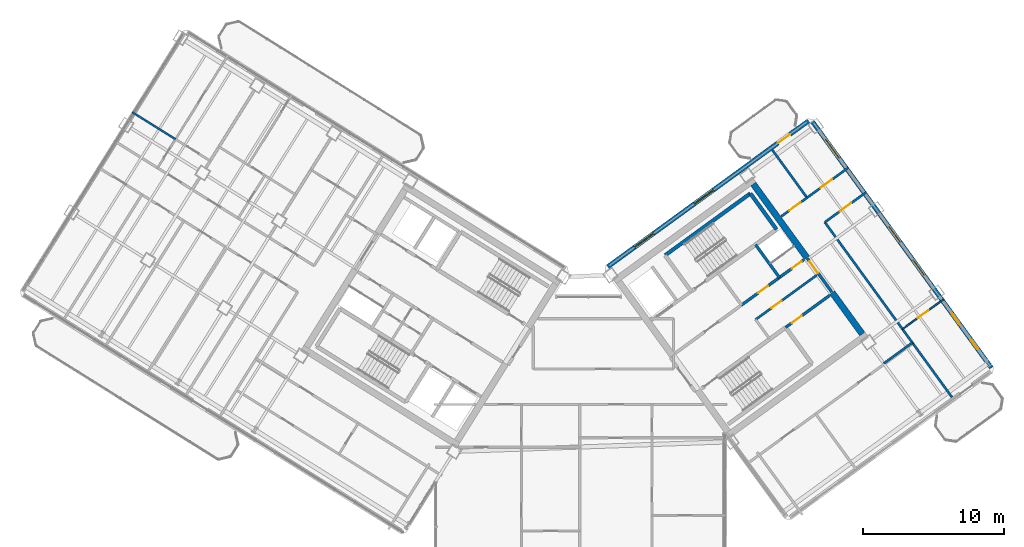
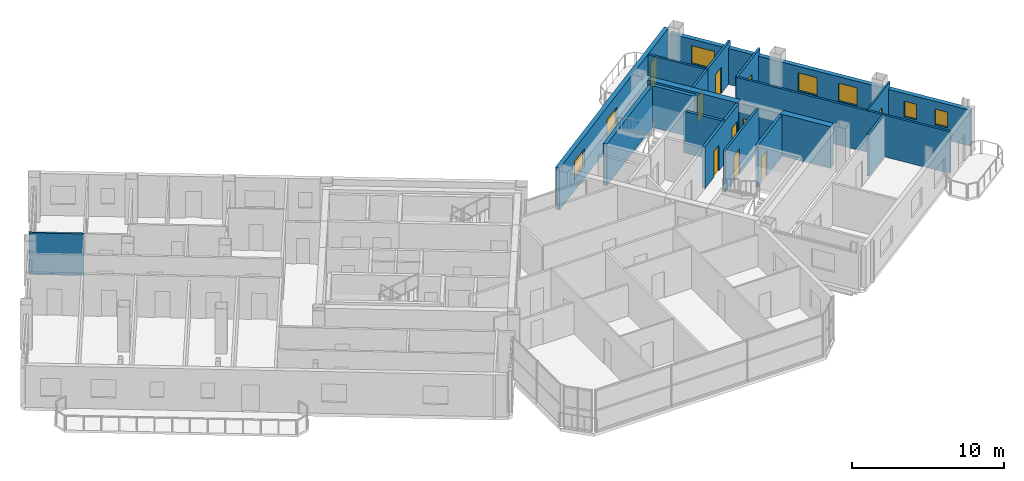
# One storey, part 20 of 29: 19 walls, 10 doors, 7 windows, 17 openings.
"""IFC4 building model written with IfcOpenShell, lengths in metres."""

from ifc_helpers import new_model, si_unit, direction, frame, frame_2d, origin, place, context, subcontext, project, spatial, rectangle, extrude, source, transform, mapped, material, layer, layer_set, type_object, element, fill, save


model = new_model("IFC4")

# Units and contexts
model_context = context("Model", 3, precision=1e-05, world=origin(), true_north=direction((0.0, 1.0)))
body_context = subcontext(model_context, "Body", "Model", "MODEL_VIEW")
ifc_project = project(units=[si_unit("LENGTHUNIT", "METRE"), si_unit("AREAUNIT", "SQUARE_METRE"), si_unit("VOLUMEUNIT", "CUBIC_METRE"), si_unit("PLANEANGLEUNIT", "RADIAN"), si_unit("MASSUNIT", "GRAM", prefix="KILO")], contexts=[model_context])

# Site, building, storey
site_placement = place(None, origin())
site = spatial("IfcSite", under=ifc_project, at=site_placement, CompositionType="ELEMENT")
building_placement = place(site_placement, origin())
building = spatial("IfcBuilding", under=site, at=building_placement, Name="Tlacorven Tower", CompositionType="ELEMENT")
storey_placement = place(building_placement, frame((0.0, 0.0, 238.5)))
storey = spatial("IfcBuildingStorey", under=building, at=storey_placement, Name="L60", CompositionType="ELEMENT", Elevation=238.5)

# Walls
ifc_material_1 = material(Name="Concrete C50/60", Category="concrete")
ifc_layer_1 = layer(ifc_material_1, 0.449951171875)
ifc_layer_set_1 = layer_set([ifc_layer_1], Name="Concrete C50/60")
wall_type_1 = type_object("IfcWallType", Name="WL-COR-450", PredefinedType="SHEAR", material=ifc_layer_set_1)
wall_1_placement = place(storey_placement, frame((61.987548828125, 20.413330078125, 0.0), z_axis=(0.0, 0.0, 1.0), x_axis=(-0.587819244441, 0.808992296542, 0.0)))
element("IfcWall", 1, at=wall_1_placement, inside=storey, type_object=wall_type_1, Name="L60 E core end wall E2.1", PredefinedType="SHEAR", context=body_context, shape_type="SweptSolid", body=[
    extrude(rectangle(XDim=3.625, YDim=0.449951171875, at=frame_2d((1.8125, 0.0))), origin(), (0.0, 0.0, 1.0), 3.35009765625),
])
wall_2_placement = place(storey_placement, frame((58.06396484375, 25.8134765625, 0.0), z_axis=(0.0, 0.0, 1.0), x_axis=(-0.587774812919, 0.809024578921, 0.0)))
element("IfcWall", 2, at=wall_2_placement, inside=storey, type_object=wall_type_1, Name="L60 E core end wall E2.2", PredefinedType="SHEAR", context=body_context, shape_type="SweptSolid", body=[
    extrude(rectangle(XDim=6.47509765625, YDim=0.449951171875, at=frame_2d((3.237548828125, 0.0))), origin(), (0.0, 0.0, 1.0), 3.35009765625),
])

# Wall, opening, door
ifc_material_2 = material(Name="Gypsum plasterboard acoustic partition", Category="gypsum")
ifc_layer_2 = layer(ifc_material_2, 0.159912109375)
ifc_layer_set_2 = layer_set([ifc_layer_2], Name="Gypsum plasterboard acoustic partition")
wall_type_2 = type_object("IfcWallType", Name="WL-DEM-160", PredefinedType="PARTITIONING", material=ifc_layer_set_2)
wall_3_placement = place(storey_placement, frame((54.421142578125, 21.436279296875, 0.0), z_axis=(0.0, 0.0, 1.0), x_axis=(0.809013710463, 0.587789772183, 0.0)))
wall_3 = element("IfcWall", 3, at=wall_3_placement, inside=storey, type_object=wall_type_2, Name="L60 partition 31", PredefinedType="PARTITIONING", context=body_context, shape_type="SweptSolid", body=[
    extrude(rectangle(XDim=5.360107421875, YDim=0.159912109375, at=frame_2d((2.68017578125, 0.0))), origin(), (0.0, 0.0, 1.0), 3.340087890625),
])
opening_1_placement = place(wall_3_placement, frame((1.39990234375, 0.0, 0.0)))
opening_1 = element("IfcOpeningElement", 4, at=opening_1_placement, cuts=wall_3, Name="Opening D19", PredefinedType="OPENING", context=body_context, shape_type="SweptSolid", body=[
    extrude(rectangle(XDim=0.860107421875, YDim=2.050048828125, at=frame_2d((0.43017578125, 1.02490234375))), frame((0.0, 0.08984375, 0.0), z_axis=(0.0, -1.0, 0.0), x_axis=(1.0, 0.0, 0.0)), (0.0, 0.0, 1.0), 0.179931640625),
])
ifc_material_3 = material(Name="Fire-rated steel door assembly", Category="steel")
door_type_1 = type_object("IfcDoorType", Name="DR-RSR-FD60-0860", OperationType="NOTDEFINED", PredefinedType="DOOR", material=ifc_material_3)
shared_shape_1 = source(origin(), body_context, "Body", "SweptSolid", [
    extrude(rectangle(XDim=0.860107421875, YDim=2.050048828125, at=frame_2d((0.43017578125, 1.02490234375))), frame((0.0, 0.02490234375, 0.0), z_axis=(0.0, -1.0, 0.0), x_axis=(1.0, 0.0, 0.0)), (0.0, 0.0, 1.0), 0.050048828125),
])
door_1_placement = place(opening_1_placement, origin())
door_1 = element("IfcDoor", 5, at=door_1_placement, inside=storey, type_object=door_type_1, Name="L60 Freed Core Store Door", OperationType="SINGLE_SWING_LEFT", OverallHeight=2.050048828125, OverallWidth=0.860107421875, PredefinedType="DOOR", context=body_context, shape_type="MappedRepresentation", body=[
    mapped(shared_shape_1, transform((0.0, 0.0, 0.0), scale=1.0)),
])
fill(opening_1, door_1)

# Wall
wall_4_placement = place(storey_placement, frame((63.5068359375, 18.322021484375, 0.0), z_axis=(0.0, 0.0, 1.0), x_axis=(0.809034604122, 0.587761013791, 0.0)))
element("IfcWall", 6, at=wall_4_placement, inside=storey, type_object=wall_type_2, Name="L60 partition 80", PredefinedType="PARTITIONING", context=body_context, shape_type="SweptSolid", body=[
    extrude(rectangle(XDim=2.510009765625, YDim=0.159912109375, at=frame_2d((1.2548828125, 0.0))), origin(), (0.0, 0.0, 1.0), 3.340087890625),
])

# Wall, opening, door
wall_5_placement = place(storey_placement, frame((56.239990234375, 28.752685546875, 0.0), z_axis=(0.0, 0.0, 1.0), x_axis=(0.809002482896, 0.587805225111, 0.0)))
wall_5 = element("IfcWall", 7, at=wall_5_placement, inside=storey, type_object=wall_type_2, Name="L60 partition 81", PredefinedType="PARTITIONING", context=body_context, shape_type="SweptSolid", body=[
    extrude(rectangle(XDim=2.25830078125, YDim=0.159912109375, at=frame_2d((1.129150390625, 0.0))), origin(), (0.0, 0.0, 1.0), 3.340087890625),
])
opening_2_placement = place(wall_5_placement, frame((0.697998046875, 0.0, 0.0)))
opening_2 = element("IfcOpeningElement", 8, at=opening_2_placement, cuts=wall_5, Name="Opening D11", PredefinedType="OPENING", context=body_context, shape_type="SweptSolid", body=[
    extrude(rectangle(XDim=1.0, YDim=2.10009765625, at=frame_2d((0.5, 1.050048828125))), frame((0.0, 0.08984375, 0.0), z_axis=(0.0, -1.0, 0.0), x_axis=(1.0, 0.0, 0.0)), (0.0, 0.0, 1.0), 0.179931640625),
])
door_type_2 = type_object("IfcDoorType", Name="DR-FLT-FD60-1000", OperationType="NOTDEFINED", PredefinedType="DOOR", material=ifc_material_3)
shared_shape_2 = source(origin(), body_context, "Body", "SweptSolid", [
    extrude(rectangle(XDim=1.0, YDim=2.10009765625, at=frame_2d((0.5, 1.050048828125))), frame((0.0, 0.02490234375, 0.0), z_axis=(0.0, -1.0, 0.0), x_axis=(1.0, 0.0, 0.0)), (0.0, 0.0, 1.0), 0.050048828125),
])
door_2_placement = place(opening_2_placement, origin())
door_2 = element("IfcDoor", 9, at=door_2_placement, inside=storey, type_object=door_type_2, Name="L60 door 055", OperationType="SINGLE_SWING_RIGHT", OverallHeight=2.10009765625, OverallWidth=1.0, PredefinedType="DOOR", context=body_context, shape_type="MappedRepresentation", body=[
    mapped(shared_shape_2, transform((0.0, 0.0, 0.0), scale=1.0)),
])
fill(opening_2, door_2)

# Walls
wall_6_placement = place(storey_placement, frame((68.35302734375, 15.922119140625, 0.0), z_axis=(0.0, 0.0, 1.0), x_axis=(-0.587782002009, 0.809019355834, 0.0)))
element("IfcWall", 10, at=wall_6_placement, inside=storey, type_object=wall_type_2, Name="L60 partition 82", PredefinedType="PARTITIONING", context=body_context, shape_type="SweptSolid", body=[
    extrude(rectangle(XDim=15.35009765625, YDim=0.159912109375, at=frame_2d((7.675048828125, 0.0))), origin(), (0.0, 0.0, 1.0), 3.340087890625),
])
wall_7_placement = place(storey_placement, frame((58.06689453125, 30.080078125, 0.0), z_axis=(0.0, 0.0, 1.0), x_axis=(-0.587812175236, 0.808997433027, 0.0)))
element("IfcWall", 11, at=wall_7_placement, inside=storey, type_object=wall_type_2, Name="L60 partition 83", PredefinedType="PARTITIONING", context=body_context, shape_type="SweptSolid", body=[
    extrude(rectangle(XDim=4.199951171875, YDim=0.159912109375, at=frame_2d((2.10009765625, 0.0))), origin(), (0.0, 0.0, 1.0), 3.340087890625),
])

# Wall, opening, door
wall_8_placement = place(storey_placement, frame((59.33056640625, 28.340576171875, 0.0), z_axis=(0.0, 0.0, 1.0), x_axis=(0.809003564202, 0.587803736896, 0.0)))
wall_8 = element("IfcWall", 12, at=wall_8_placement, inside=storey, type_object=wall_type_2, Name="L60 partition 85", PredefinedType="PARTITIONING", context=body_context, shape_type="SweptSolid", body=[
    extrude(rectangle(XDim=3.630126953125, YDim=0.159912109375, at=frame_2d((1.81494140625, 0.0))), origin(), (0.0, 0.0, 1.0), 3.340087890625),
])
opening_3_placement = place(wall_8_placement, frame((1.304931640625, 0.0, 0.0)))
opening_3 = element("IfcOpeningElement", 13, at=opening_3_placement, cuts=wall_8, Name="Opening D11", PredefinedType="OPENING", context=body_context, shape_type="SweptSolid", body=[
    extrude(rectangle(XDim=1.0, YDim=2.10009765625, at=frame_2d((0.5, 1.050048828125))), frame((0.0, 0.08984375, 0.0), z_axis=(0.0, -1.0, 0.0), x_axis=(1.0, 0.0, 0.0)), (0.0, 0.0, 1.0), 0.179931640625),
])
door_3_placement = place(opening_3_placement, origin())
door_3 = element("IfcDoor", 14, at=door_3_placement, inside=storey, type_object=door_type_2, Name="L60 door 058", OperationType="SINGLE_SWING_LEFT", OverallHeight=2.10009765625, OverallWidth=1.0, PredefinedType="DOOR", context=body_context, shape_type="MappedRepresentation", body=[
    mapped(shared_shape_2, transform((0.0, 0.0, 0.0), scale=1.0)),
])
fill(opening_3, door_3)

wall_9_placement = place(storey_placement, frame((58.06689453125, 30.080078125, 0.0), z_axis=(0.0, 0.0, 1.0), x_axis=(0.809012309495, 0.587791700422, 0.0)))
wall_9 = element("IfcWall", 15, at=wall_9_placement, inside=storey, type_object=wall_type_2, Name="L60 partition 86", PredefinedType="PARTITIONING", context=body_context, shape_type="SweptSolid", body=[
    extrude(rectangle(XDim=3.6298828125, YDim=0.159912109375, at=frame_2d((1.81494140625, 0.0))), origin(), (0.0, 0.0, 1.0), 3.340087890625),
])
opening_4_placement = place(wall_9_placement, frame((1.199951171875, 0.0, 0.0)))
opening_4 = element("IfcOpeningElement", 16, at=opening_4_placement, cuts=wall_9, Name="Opening D11", PredefinedType="OPENING", context=body_context, shape_type="SweptSolid", body=[
    extrude(rectangle(XDim=1.0, YDim=2.10009765625, at=frame_2d((0.5, 1.050048828125))), frame((0.0, 0.08984375, 0.0), z_axis=(0.0, -1.0, 0.0), x_axis=(1.0, 0.0, 0.0)), (0.0, 0.0, 1.0), 0.179931640625),
])
door_4_placement = place(opening_4_placement, origin())
door_4 = element("IfcDoor", 17, at=door_4_placement, inside=storey, type_object=door_type_2, Name="L60 door 057", OperationType="SINGLE_SWING_RIGHT", OverallHeight=2.10009765625, OverallWidth=1.0, PredefinedType="DOOR", context=body_context, shape_type="MappedRepresentation", body=[
    mapped(shared_shape_2, transform((0.0, 0.0, 0.0), scale=1.0)),
])
fill(opening_4, door_4)

# Wall, openings, door, windows
ifc_material_4 = material(Name="Precast concrete C45/55", Category="concrete")
ifc_layer_3 = layer(ifc_material_4, 0.320068359375)
ifc_layer_set_3 = layer_set([ifc_layer_3], Name="Precast concrete C45/55")
wall_type_3 = type_object("IfcWallType", Name="WL-EXT-320", PredefinedType="STANDARD", material=ifc_layer_set_3)
wall_10_placement = place(storey_placement, frame((43.93798828125, 25.191650390625, 0.0), z_axis=(0.0, 0.0, 1.0), x_axis=(0.809016324578, 0.587786174187, 0.0)))
wall_10 = element("IfcWall", 18, at=wall_10_placement, inside=storey, type_object=wall_type_3, Name="L60 Masonry-Frame Recessed Facade Wall 4", PredefinedType="STANDARD", context=body_context, shape_type="SweptSolid", body=[
    extrude(rectangle(XDim=17.58740234375, YDim=0.320068359375, at=frame_2d((8.793701171875, 0.0))), origin(), (0.0, 0.0, 1.0), 3.35009765625),
])
opening_5_placement = place(wall_10_placement, frame((14.913818359375, 0.0, 0.0)))
opening_5 = element("IfcOpeningElement", 19, at=opening_5_placement, cuts=wall_10, Name="Opening D06", PredefinedType="OPENING", context=body_context, shape_type="SweptSolid", body=[
    extrude(rectangle(XDim=1.050048828125, YDim=2.14990234375, at=frame_2d((0.52490234375, 1.074951171875))), frame((0.0, 0.169921875, 0.0), z_axis=(0.0, -1.0, 0.0), x_axis=(1.0, 0.0, 0.0)), (0.0, 0.0, 1.0), 0.340087890625),
])
opening_6_placement = place(wall_10_placement, frame((2.34375, 0.0, 0.89990234375)))
opening_6 = element("IfcOpeningElement", 20, at=opening_6_placement, cuts=wall_10, Name="Opening WN07", PredefinedType="OPENING", context=body_context, shape_type="SweptSolid", body=[
    extrude(rectangle(XDim=1.64990234375, YDim=1.449951171875, at=frame_2d((0.824951171875, 0.72509765625))), frame((0.0, 0.169921875, 0.0), z_axis=(0.0, -1.0, 0.0), x_axis=(1.0, 0.0, 0.0)), (0.0, 0.0, 1.0), 0.340087890625),
])
opening_7_placement = place(wall_10_placement, frame((7.59375, 0.0, 0.89990234375)))
opening_7 = element("IfcOpeningElement", 21, at=opening_7_placement, cuts=wall_10, Name="Opening WN07", PredefinedType="OPENING", context=body_context, shape_type="SweptSolid", body=[
    extrude(rectangle(XDim=1.64990234375, YDim=1.449951171875, at=frame_2d((0.824951171875, 0.72509765625))), frame((0.0, 0.169921875, 0.0), z_axis=(0.0, -1.0, 0.0), x_axis=(1.0, 0.0, 0.0)), (0.0, 0.0, 1.0), 0.340087890625),
])
ifc_material_5 = material(Name="Powder-coated aluminium and timber door", Category="wood")
door_type_3 = type_object("IfcDoorType", Name="DR-EXT-BALC-1050", OperationType="NOTDEFINED", PredefinedType="DOOR", material=ifc_material_5)
shared_shape_3 = source(origin(), body_context, "Body", "SweptSolid", [
    extrude(rectangle(XDim=1.050048828125, YDim=2.14990234375, at=frame_2d((0.52490234375, 1.074951171875))), frame((0.0, 0.02490234375, 0.0), z_axis=(0.0, -1.0, 0.0), x_axis=(1.0, 0.0, 0.0)), (0.0, 0.0, 1.0), 0.050048828125),
])
door_5_placement = place(opening_5_placement, origin())
door_5 = element("IfcDoor", 22, at=door_5_placement, inside=storey, type_object=door_type_3, Name="L60 Outdoor Access Door BAL-L60-E-IN", OperationType="SINGLE_SWING_RIGHT", OverallHeight=2.14990234375, OverallWidth=1.050048828125, PredefinedType="DOOR", context=body_context, shape_type="MappedRepresentation", body=[
    mapped(shared_shape_3, transform((0.0, 0.0, 0.0), scale=1.0)),
])
fill(opening_5, door_5)
ifc_material_6 = material(Name="Dark solar low-E double glazing in anodised aluminium frame", Category="aluminium")
window_type_1 = type_object("IfcWindowType", Name="WN-APT-1650X1600", PartitioningType="SINGLE_PANEL", PredefinedType="WINDOW", material=ifc_material_6)
shared_shape_4 = source(origin(), body_context, "Body", "SweptSolid", [
    extrude(rectangle(XDim=1.64990234375, YDim=1.449951171875, at=frame_2d((0.824951171875, 0.72509765625))), frame((0.0, 0.030029296875, 0.0), z_axis=(0.0, -1.0, 0.0), x_axis=(1.0, 0.0, 0.0)), (0.0, 0.0, 1.0), 0.06005859375),
])
window_1_placement = place(opening_6_placement, origin())
window_1 = element("IfcWindow", 23, at=window_1_placement, inside=storey, type_object=window_type_1, Name="L60 Recessed Masonry-Frame Window L60-04.1", OverallHeight=1.449951171875, OverallWidth=1.64990234375, PartitioningType="SINGLE_PANEL", PredefinedType="WINDOW", context=body_context, shape_type="MappedRepresentation", body=[
    mapped(shared_shape_4, transform((0.0, 0.0, 0.0), scale=1.0)),
])
fill(opening_6, window_1)
window_2_placement = place(opening_7_placement, origin())
window_2 = element("IfcWindow", 24, at=window_2_placement, inside=storey, type_object=window_type_1, Name="L60 Recessed Masonry-Frame Window L60-04.2", OverallHeight=1.449951171875, OverallWidth=1.64990234375, PartitioningType="SINGLE_PANEL", PredefinedType="WINDOW", context=body_context, shape_type="MappedRepresentation", body=[
    mapped(shared_shape_4, transform((0.0, 0.0, 0.0), scale=1.0)),
])
fill(opening_7, window_2)

# Wall, openings, windows
wall_11_placement = place(storey_placement, frame((58.45458984375, 35.483642578125, 0.0), z_axis=(0.0, 0.0, 1.0), x_axis=(0.587783625747, -0.809018176127, 0.0)))
wall_11 = element("IfcWall", 25, at=wall_11_placement, inside=storey, type_object=wall_type_3, Name="L60 Masonry-Frame Recessed Facade Wall 5", PredefinedType="STANDARD", context=body_context, shape_type="SweptSolid", body=[
    extrude(rectangle(XDim=21.58740234375, YDim=0.320068359375, at=frame_2d((10.793701171875, 0.0))), origin(), (0.0, 0.0, 1.0), 2.875),
])
opening_8_placement = place(wall_11_placement, frame((1.5537109375, 0.0, 0.89990234375)))
opening_8 = element("IfcOpeningElement", 26, at=opening_8_placement, cuts=wall_11, Name="Opening WN07", PredefinedType="OPENING", context=body_context, shape_type="SweptSolid", body=[
    extrude(rectangle(XDim=1.64990234375, YDim=1.449951171875, at=frame_2d((0.824951171875, 0.72509765625))), frame((0.0, 0.169921875, 0.0), z_axis=(0.0, -1.0, 0.0), x_axis=(1.0, 0.0, 0.0)), (0.0, 0.0, 1.0), 0.340087890625),
])
opening_9_placement = place(wall_11_placement, frame((9.21875, 0.0, 0.89990234375)))
opening_9 = element("IfcOpeningElement", 27, at=opening_9_placement, cuts=wall_11, Name="Opening WN08", PredefinedType="OPENING", context=body_context, shape_type="SweptSolid", body=[
    extrude(rectangle(XDim=1.35009765625, YDim=1.449951171875, at=frame_2d((0.675048828125, 0.72509765625))), frame((0.0, 0.169921875, 0.0), z_axis=(0.0, -1.0, 0.0), x_axis=(1.0, 0.0, 0.0)), (0.0, 0.0, 1.0), 0.340087890625),
])
opening_10_placement = place(wall_11_placement, frame((12.11865234375, 0.0, 0.89990234375)))
opening_10 = element("IfcOpeningElement", 28, at=opening_10_placement, cuts=wall_11, Name="Opening WN08", PredefinedType="OPENING", context=body_context, shape_type="SweptSolid", body=[
    extrude(rectangle(XDim=1.35009765625, YDim=1.449951171875, at=frame_2d((0.675048828125, 0.72509765625))), frame((0.0, 0.169921875, 0.0), z_axis=(0.0, -1.0, 0.0), x_axis=(1.0, 0.0, 0.0)), (0.0, 0.0, 1.0), 0.340087890625),
])
opening_11_placement = place(wall_11_placement, frame((16.832763671875, 0.0, 1.0)))
opening_11 = element("IfcOpeningElement", 29, at=opening_11_placement, cuts=wall_11, Name="Opening WN05", PredefinedType="OPENING", context=body_context, shape_type="SweptSolid", body=[
    extrude(rectangle(XDim=0.89990234375, YDim=1.25, at=frame_2d((0.449951171875, 0.625))), frame((0.0, 0.169921875, 0.0), z_axis=(0.0, -1.0, 0.0), x_axis=(1.0, 0.0, 0.0)), (0.0, 0.0, 1.0), 0.340087890625),
])
opening_12_placement = place(wall_11_placement, frame((19.056640625, 0.0, 1.0)))
opening_12 = element("IfcOpeningElement", 30, at=opening_12_placement, cuts=wall_11, Name="Opening WN05", PredefinedType="OPENING", context=body_context, shape_type="SweptSolid", body=[
    extrude(rectangle(XDim=0.89990234375, YDim=1.25, at=frame_2d((0.449951171875, 0.625))), frame((0.0, 0.169921875, 0.0), z_axis=(0.0, -1.0, 0.0), x_axis=(1.0, 0.0, 0.0)), (0.0, 0.0, 1.0), 0.340087890625),
])
window_type_2 = type_object("IfcWindowType", Name="WN-APT-0900X1350", PartitioningType="SINGLE_PANEL", PredefinedType="WINDOW", material=ifc_material_6)
shared_shape_5 = source(origin(), body_context, "Body", "SweptSolid", [
    extrude(rectangle(XDim=0.89990234375, YDim=1.25, at=frame_2d((0.449951171875, 0.625))), frame((0.0, 0.030029296875, 0.0), z_axis=(0.0, -1.0, 0.0), x_axis=(1.0, 0.0, 0.0)), (0.0, 0.0, 1.0), 0.06005859375),
])
window_3_placement = place(opening_11_placement, origin())
window_3 = element("IfcWindow", 31, at=window_3_placement, inside=storey, type_object=window_type_2, Name="L60 Recessed Masonry-Frame Window L60-05.4", OverallHeight=1.25, OverallWidth=0.89990234375, PartitioningType="SINGLE_PANEL", PredefinedType="WINDOW", context=body_context, shape_type="MappedRepresentation", body=[
    mapped(shared_shape_5, transform((0.0, 0.0, 0.0), scale=1.0)),
])
fill(opening_11, window_3)
window_4_placement = place(opening_12_placement, origin())
window_4 = element("IfcWindow", 32, at=window_4_placement, inside=storey, type_object=window_type_2, Name="L60 Recessed Masonry-Frame Window L60-05.5", OverallHeight=1.25, OverallWidth=0.89990234375, PartitioningType="SINGLE_PANEL", PredefinedType="WINDOW", context=body_context, shape_type="MappedRepresentation", body=[
    mapped(shared_shape_5, transform((0.0, 0.0, 0.0), scale=1.0)),
])
fill(opening_12, window_4)
window_5_placement = place(opening_8_placement, origin())
window_5 = element("IfcWindow", 33, at=window_5_placement, inside=storey, type_object=window_type_1, Name="L60 Recessed Masonry-Frame Window L60-05.1", OverallHeight=1.449951171875, OverallWidth=1.64990234375, PartitioningType="SINGLE_PANEL", PredefinedType="WINDOW", context=body_context, shape_type="MappedRepresentation", body=[
    mapped(shared_shape_4, transform((0.0, 0.0, 0.0), scale=1.0)),
])
fill(opening_8, window_5)
window_type_3 = type_object("IfcWindowType", Name="WN-APT-1350X1550", PartitioningType="SINGLE_PANEL", PredefinedType="WINDOW", material=ifc_material_6)
shared_shape_6 = source(origin(), body_context, "Body", "SweptSolid", [
    extrude(rectangle(XDim=1.35009765625, YDim=1.449951171875, at=frame_2d((0.675048828125, 0.72509765625))), frame((0.0, 0.030029296875, 0.0), z_axis=(0.0, -1.0, 0.0), x_axis=(1.0, 0.0, 0.0)), (0.0, 0.0, 1.0), 0.06005859375),
])
window_6_placement = place(opening_9_placement, origin())
window_6 = element("IfcWindow", 34, at=window_6_placement, inside=storey, type_object=window_type_3, Name="L60 Recessed Masonry-Frame Window L60-05.2", OverallHeight=1.449951171875, OverallWidth=1.35009765625, PartitioningType="SINGLE_PANEL", PredefinedType="WINDOW", context=body_context, shape_type="MappedRepresentation", body=[
    mapped(shared_shape_6, transform((0.0, 0.0, 0.0), scale=1.0)),
])
fill(opening_9, window_6)
window_7_placement = place(opening_10_placement, origin())
window_7 = element("IfcWindow", 35, at=window_7_placement, inside=storey, type_object=window_type_3, Name="L60 Recessed Masonry-Frame Window L60-05.3", OverallHeight=1.449951171875, OverallWidth=1.35009765625, PartitioningType="SINGLE_PANEL", PredefinedType="WINDOW", context=body_context, shape_type="MappedRepresentation", body=[
    mapped(shared_shape_6, transform((0.0, 0.0, 0.0), scale=1.0)),
])
fill(opening_10, window_7)

# Wall, opening, door
ifc_material_7 = material(Name="Gypsum plasterboard partition", Category="gypsum")
ifc_layer_4 = layer(ifc_material_7, 0.110107421875)
ifc_layer_set_4 = layer_set([ifc_layer_4], Name="Gypsum plasterboard partition")
wall_type_4 = type_object("IfcWallType", Name="WL-INT-110", PredefinedType="PARTITIONING", material=ifc_layer_set_4)
wall_12_placement = place(storey_placement, frame((64.83935546875, 20.758544921875, 0.0), z_axis=(0.0, 0.0, 1.0), x_axis=(0.809013833588, 0.587789602718, 0.0)))
wall_12 = element("IfcWall", 36, at=wall_12_placement, inside=storey, type_object=wall_type_4, Name="L60 partition 87", PredefinedType="PARTITIONING", context=body_context, shape_type="SweptSolid", body=[
    extrude(rectangle(XDim=3.60986328125, YDim=0.110107421875, at=frame_2d((1.804931640625, 0.0))), origin(), (0.0, 0.0, 1.0), 3.340087890625),
])
opening_13_placement = place(wall_12_placement, frame((1.344970703125, 0.0, 0.0)))
opening_13 = element("IfcOpeningElement", 37, at=opening_13_placement, cuts=wall_12, Name="Opening D12", PredefinedType="OPENING", context=body_context, shape_type="SweptSolid", body=[
    extrude(rectangle(XDim=0.919921875, YDim=2.080078125, at=frame_2d((0.4599609375, 1.0400390625))), frame((0.0, 0.06494140625, 0.0), z_axis=(0.0, -1.0, 0.0), x_axis=(1.0, 0.0, 0.0)), (0.0, 0.0, 1.0), 0.130126953125),
])
door_type_4 = type_object("IfcDoorType", Name="DR-INT-ROOM-0920", OperationType="NOTDEFINED", PredefinedType="DOOR", material=ifc_material_5)
shared_shape_7 = source(origin(), body_context, "Body", "SweptSolid", [
    extrude(rectangle(XDim=0.919921875, YDim=2.080078125, at=frame_2d((0.4599609375, 1.0400390625))), frame((0.0, 0.02490234375, 0.0), z_axis=(0.0, -1.0, 0.0), x_axis=(1.0, 0.0, 0.0)), (0.0, 0.0, 1.0), 0.050048828125),
])
door_6_placement = place(opening_13_placement, origin())
door_6 = element("IfcDoor", 38, at=door_6_placement, inside=storey, type_object=door_type_4, Name="L60 door 059", OperationType="SINGLE_SWING_LEFT", OverallHeight=2.080078125, OverallWidth=0.919921875, PredefinedType="DOOR", context=body_context, shape_type="MappedRepresentation", body=[
    mapped(shared_shape_7, transform((0.0, 0.0, 0.0), scale=1.0)),
])
fill(opening_13, door_6)

# Wall
ifc_material_8 = material(Name="Moisture-resistant gypsum plumbing wall", Category="gypsum")
ifc_layer_5 = layer(ifc_material_8, 0.139892578125)
ifc_layer_set_5 = layer_set([ifc_layer_5], Name="Moisture-resistant gypsum plumbing wall")
wall_type_5 = type_object("IfcWallType", Name="WL-PLM-140", PredefinedType="PLUMBINGWALL", material=ifc_layer_set_5)
wall_13_placement = place(storey_placement, frame((13.275146484375, 34.228271484375, 0.0), z_axis=(0.0, 0.0, 1.0), x_axis=(-0.848039976902, 0.529932257535, 0.0)))
element("IfcWall", 39, at=wall_13_placement, inside=storey, type_object=wall_type_5, Name="L60 partition 58", PredefinedType="PLUMBINGWALL", context=body_context, shape_type="SweptSolid", body=[
    extrude(rectangle(XDim=3.6201171875, YDim=0.139892578125, at=frame_2d((1.81005859375, 0.0))), origin(), (0.0, 0.0, 1.0), 3.340087890625),
])

# Wall, opening, door
ifc_material_9 = material(Name="Concrete C40/50", Category="concrete")
ifc_layer_6 = layer(ifc_material_9, 0.199951171875)
ifc_layer_set_6 = layer_set([ifc_layer_6], Name="Concrete C40/50")
wall_type_6 = type_object("IfcWallType", Name="WL-SHF-200", PredefinedType="STANDARD", material=ifc_layer_set_6)
wall_14_placement = place(storey_placement, frame((56.552978515625, 20.884033203125, 0.0), z_axis=(0.0, 0.0, 1.0), x_axis=(0.809041669066, 0.587751288995, 0.0)))
wall_14 = element("IfcWall", 40, at=wall_14_placement, inside=storey, type_object=wall_type_6, Name="L60 Core E South Lift Shaft Wall", PredefinedType="STANDARD", context=body_context, shape_type="SweptSolid", body=[
    extrude(rectangle(XDim=3.867919921875, YDim=0.199951171875, at=frame_2d((1.93408203125, 0.0))), origin(), (0.0, 0.0, 1.0), 3.340087890625),
])
opening_14_placement = place(wall_14_placement, frame((0.550048828125, 0.0, 0.0)))
opening_14 = element("IfcOpeningElement", 41, at=opening_14_placement, cuts=wall_14, Name="Opening D19", PredefinedType="OPENING", context=body_context, shape_type="SweptSolid", body=[
    extrude(rectangle(XDim=0.860107421875, YDim=2.050048828125, at=frame_2d((0.43017578125, 1.02490234375))), frame((0.0, 0.10986328125, 0.0), z_axis=(0.0, -1.0, 0.0), x_axis=(1.0, 0.0, 0.0)), (0.0, 0.0, 1.0), 0.219970703125),
])
door_7_placement = place(opening_14_placement, origin())
door_7 = element("IfcDoor", 42, at=door_7_placement, inside=storey, type_object=door_type_1, Name="L60 East Telecoms Riser Access Door", OperationType="SINGLE_SWING_RIGHT", OverallHeight=2.050048828125, OverallWidth=0.860107421875, PredefinedType="DOOR", context=body_context, shape_type="MappedRepresentation", body=[
    mapped(shared_shape_1, transform((0.0, 0.0, 0.0), scale=1.0)),
])
fill(opening_14, door_7)

# Wall
wall_15_placement = place(storey_placement, frame((56.110595703125, 24.4189453125, 0.0), z_axis=(0.0, 0.0, 1.0), x_axis=(-0.58777848983, 0.809021907548, 0.0)))
element("IfcWall", 43, at=wall_15_placement, inside=storey, type_object=wall_type_6, Name="L60 partition 35", PredefinedType="STANDARD", context=body_context, shape_type="SweptSolid", body=[
    extrude(rectangle(XDim=2.880126953125, YDim=0.199951171875, at=frame_2d((1.43994140625, 0.0))), origin(), (0.0, 0.0, 1.0), 3.340087890625),
])

# Wall, openings, doors
wall_16_placement = place(storey_placement, frame((53.424560546875, 22.467529296875, 0.0), z_axis=(0.0, 0.0, 1.0), x_axis=(0.809015945709, 0.587786695655, 0.0)))
wall_16 = element("IfcWall", 44, at=wall_16_placement, inside=storey, type_object=wall_type_6, Name="L60 Core E North Service Wall", PredefinedType="STANDARD", context=body_context, shape_type="SweptSolid", body=[
    extrude(rectangle(XDim=5.46826171875, YDim=0.199951171875, at=frame_2d((2.734130859375, 0.0))), origin(), (0.0, 0.0, 1.0), 3.340087890625),
])
opening_15_placement = place(wall_16_placement, frame((4.39990234375, 0.0, 0.0)))
opening_15 = element("IfcOpeningElement", 45, at=opening_15_placement, cuts=wall_16, Name="Opening D19", PredefinedType="OPENING", context=body_context, shape_type="SweptSolid", body=[
    extrude(rectangle(XDim=0.860107421875, YDim=2.050048828125, at=frame_2d((0.43017578125, 1.02490234375))), frame((0.0, 0.10986328125, 0.0), z_axis=(0.0, -1.0, 0.0), x_axis=(1.0, 0.0, 0.0)), (0.0, 0.0, 1.0), 0.219970703125),
])
opening_16_placement = place(wall_16_placement, frame((1.449951171875, 0.0, 0.0)))
opening_16 = element("IfcOpeningElement", 46, at=opening_16_placement, cuts=wall_16, Name="Opening D19", PredefinedType="OPENING", context=body_context, shape_type="SweptSolid", body=[
    extrude(rectangle(XDim=0.860107421875, YDim=2.050048828125, at=frame_2d((0.43017578125, 1.02490234375))), frame((0.0, 0.10986328125, 0.0), z_axis=(0.0, -1.0, 0.0), x_axis=(1.0, 0.0, 0.0)), (0.0, 0.0, 1.0), 0.219970703125),
])
door_8_placement = place(opening_15_placement, frame((0.860107421875, 0.0, 0.0), z_axis=(0.0, 0.0, 1.0), x_axis=(-1.0, 0.0, 0.0)))
door_8 = element("IfcDoor", 47, at=door_8_placement, inside=storey, type_object=door_type_1, Name="L60 Electrical Riser Access Door E", OperationType="SINGLE_SWING_LEFT", OverallHeight=2.050048828125, OverallWidth=0.860107421875, PredefinedType="DOOR", context=body_context, shape_type="MappedRepresentation", body=[
    mapped(shared_shape_1, transform((0.0, 0.0, 0.0), scale=1.0)),
])
fill(opening_15, door_8)
door_9_placement = place(opening_16_placement, frame((0.860107421875, 0.0, 0.0), z_axis=(0.0, 0.0, 1.0), x_axis=(-1.0, 0.0, 0.0)))
door_9 = element("IfcDoor", 48, at=door_9_placement, inside=storey, type_object=door_type_1, Name="L60 Housekeeping Linen Access Door E", OperationType="SINGLE_SWING_RIGHT", OverallHeight=2.050048828125, OverallWidth=0.860107421875, PredefinedType="DOOR", context=body_context, shape_type="MappedRepresentation", body=[
    mapped(shared_shape_1, transform((0.0, 0.0, 0.0), scale=1.0)),
])
fill(opening_16, door_9)

# Wall, opening, door
wall_17_placement = place(storey_placement, frame((59.827392578125, 23.386474609375, 0.0), z_axis=(0.0, 0.0, 1.0), x_axis=(-0.587803840107, 0.809003489211, 0.0)))
wall_17 = element("IfcWall", 49, at=wall_17_placement, inside=storey, type_object=wall_type_6, Name="L60 partition 79", PredefinedType="STANDARD", context=body_context, shape_type="SweptSolid", body=[
    extrude(rectangle(XDim=2.960205078125, YDim=0.199951171875, at=frame_2d((1.47998046875, 0.0))), origin(), (0.0, 0.0, 1.0), 3.340087890625),
])
opening_17_placement = place(wall_17_placement, frame((1.679931640625, 0.0, 0.0)))
opening_17 = element("IfcOpeningElement", 50, at=opening_17_placement, cuts=wall_17, Name="Opening D11", PredefinedType="OPENING", context=body_context, shape_type="SweptSolid", body=[
    extrude(rectangle(XDim=1.0, YDim=2.10009765625, at=frame_2d((0.5, 1.050048828125))), frame((0.0, 0.10986328125, 0.0), z_axis=(0.0, -1.0, 0.0), x_axis=(1.0, 0.0, 0.0)), (0.0, 0.0, 1.0), 0.219970703125),
])
door_10_placement = place(opening_17_placement, origin())
door_10 = element("IfcDoor", 51, at=door_10_placement, inside=storey, type_object=door_type_2, Name="L60 door 056", OperationType="SINGLE_SWING_LEFT", OverallHeight=2.10009765625, OverallWidth=1.0, PredefinedType="DOOR", context=body_context, shape_type="MappedRepresentation", body=[
    mapped(shared_shape_2, transform((0.0, 0.0, 0.0), scale=1.0)),
])
fill(opening_17, door_10)

# Walls
ifc_layer_7 = layer(ifc_material_1, 0.260009765625)
ifc_layer_set_7 = layer_set([ifc_layer_7], Name="Concrete C50/60")
wall_type_7 = type_object("IfcWallType", Name="WL-STW-260", PredefinedType="SHEAR", material=ifc_layer_set_7)
wall_18_placement = place(storey_placement, frame((48.005615234375, 25.996337890625, 0.0), z_axis=(0.0, 0.0, 1.0), x_axis=(0.80901903764, 0.587782439969, 0.0)))
element("IfcWall", 52, at=wall_18_placement, inside=storey, type_object=wall_type_7, Name="L60 Stair E1 Far Shear Wall", PredefinedType="SHEAR", context=body_context, shape_type="SweptSolid", body=[
    extrude(rectangle(XDim=7.4599609375, YDim=0.260009765625, at=frame_2d((3.72998046875, 0.0))), origin(), (0.0, 0.0, 1.0), 3.35009765625),
])
wall_19_placement = place(storey_placement, frame((55.906494140625, 27.83056640625, 0.0), z_axis=(0.0, 0.0, 1.0), x_axis=(-0.587804123638, 0.809003283204, 0.0)))
element("IfcWall", 53, at=wall_19_placement, inside=storey, type_object=wall_type_7, Name="L60 Stair E1 East Shear Wall", PredefinedType="SHEAR", context=body_context, shape_type="SweptSolid", body=[
    extrude(rectangle(XDim=3.159912109375, YDim=0.260009765625, at=frame_2d((1.580078125, 0.0))), origin(), (0.0, 0.0, 1.0), 3.35009765625),
])

save(model, "model.ifc")
